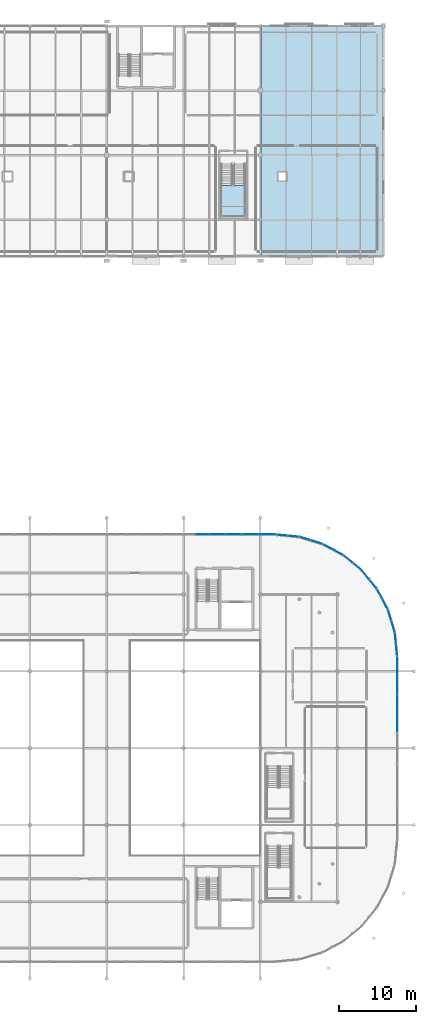
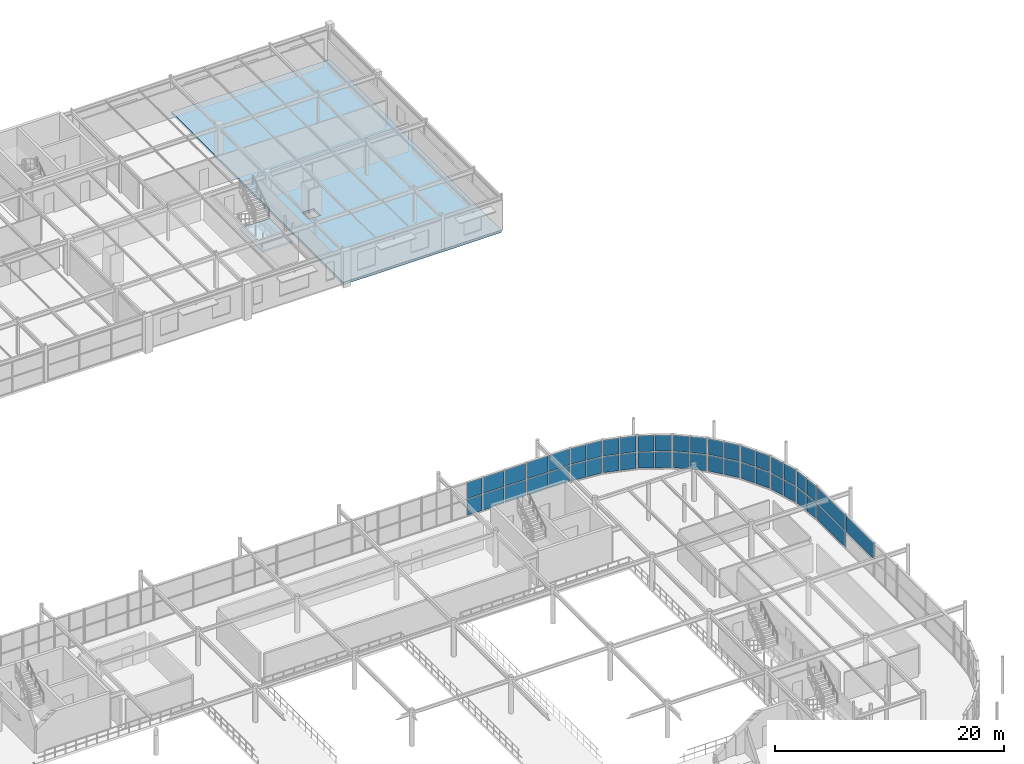
# One storey, part 72 of 98: 45 plates, 2 slabs, 13 elements without a shape of their own.
"""IFC4 building model written with IfcOpenShell, lengths in metres."""

from ifc_helpers import new_model, si_unit, derived_unit, direction, frame, origin, origin_2d_with_axis, place, context, subcontext, project, spatial, polyline, rectangle, outline, extrude, material, layer, layer_set, type_object, element, aggregate, save


model = new_model("IFC4")

# Units and contexts
model_context = context("Model", 3, precision=1e-05, world=origin(), true_north=direction((0.0, 1.0)))
body_context = subcontext(model_context, "Body", "Model", "MODEL_VIEW")
ifc_project = project(units=[si_unit("LENGTHUNIT", "METRE"), si_unit("AREAUNIT", "SQUARE_METRE"), si_unit("VOLUMEUNIT", "CUBIC_METRE"), si_unit("PLANEANGLEUNIT", "RADIAN"), si_unit("MASSUNIT", "GRAM", prefix="KILO"), derived_unit("THERMALTRANSMITTANCEUNIT", [(si_unit("POWERUNIT", "WATT"), 1), (si_unit("LENGTHUNIT", "METRE"), -2), (si_unit("THERMODYNAMICTEMPERATUREUNIT", "KELVIN"), -1)])], contexts=[model_context])

# Site, building, storey
site_placement = place(None, origin())
site = spatial("IfcSite", under=ifc_project, at=site_placement, CompositionType="ELEMENT")
building_placement = place(site_placement, origin())
building = spatial("IfcBuilding", under=site, at=building_placement, Name="Cinnabar Yard Market Hall", CompositionType="ELEMENT")
storey_placement = place(building_placement, frame((0.0, 0.0, 4.5)))
storey = spatial("IfcBuildingStorey", under=building, at=storey_placement, Name="L01", CompositionType="ELEMENT", Elevation=4.5)

# Curtain wall, plates
ifc_material_1 = material(Name="Anodised bronze aluminium curved-chord facade", Category="aluminium")
curtain_wall_type_1 = type_object("IfcCurtainWallType", Name="CW-CWC031x36", PredefinedType="NOTDEFINED", material=ifc_material_1)
curtain_wall_1_placement = place(storey_placement, origin())
curtain_wall_1 = element("IfcCurtainWall", 1, at=curtain_wall_1_placement, inside=storey, type_object=curtain_wall_type_1, Name="Corner NE Chord 1 L01", PredefinedType="NOTDEFINED")
ifc_material_2 = material(Name="Low-E laminated glass", Category="glass")
ifc_layer_1 = layer(ifc_material_2, 0.031982421875)
ifc_layer_set_1 = layer_set([ifc_layer_1], Name="Low-E laminated glass")
plate_type_1 = type_object("IfcPlateType", Name="CWP-GP141x169", PredefinedType="CURTAIN_PANEL", material=ifc_layer_set_1)
plate_1_placement = place(storey_placement, frame((163.721923828125, 56.79296875, 0.090087890625), z_axis=(0.0, 0.0, 1.0), x_axis=(-0.098020369342, 0.995184408637, 0.0)))
plate_1 = element("IfcPlate", 2, at=plate_1_placement, type_object=plate_type_1, Name="CWC031x36 panel 1.1", PredefinedType="CURTAIN_PANEL", context=body_context, shape_type="SweptSolid", body=[
    extrude(rectangle(XDim=1.41357421875, YDim=0.031982421875, at=origin_2d_with_axis()), origin(), (0.0, 0.0, 1.0), 1.68994140625),
])
plate_2_placement = place(storey_placement, frame((163.721923828125, 56.79296875, 1.8701171875), z_axis=(0.0, 0.0, 1.0), x_axis=(-0.098020369342, 0.995184408637, 0.0)))
plate_2 = element("IfcPlate", 3, at=plate_2_placement, type_object=plate_type_1, Name="CWC031x36 panel 1.2", PredefinedType="CURTAIN_PANEL", context=body_context, shape_type="SweptSolid", body=[
    extrude(rectangle(XDim=1.41357421875, YDim=0.031982421875, at=origin_2d_with_axis()), origin(), (0.0, 0.0, 1.0), 1.68994140625),
])
plate_3_placement = place(storey_placement, frame((163.574462890625, 58.289306640625, 0.090087890625), z_axis=(0.0, 0.0, 1.0), x_axis=(-0.098020369342, 0.995184408637, 0.0)))
plate_3 = element("IfcPlate", 4, at=plate_3_placement, type_object=plate_type_1, Name="CWC031x36 panel 2.1", PredefinedType="CURTAIN_PANEL", context=body_context, shape_type="SweptSolid", body=[
    extrude(rectangle(XDim=1.41357421875, YDim=0.031982421875, at=origin_2d_with_axis()), origin(), (0.0, 0.0, 1.0), 1.68994140625),
])
plate_4_placement = place(storey_placement, frame((163.574462890625, 58.289306640625, 1.8701171875), z_axis=(0.0, 0.0, 1.0), x_axis=(-0.098020369342, 0.995184408637, 0.0)))
plate_4 = element("IfcPlate", 5, at=plate_4_placement, type_object=plate_type_1, Name="CWC031x36 panel 2.2", PredefinedType="CURTAIN_PANEL", context=body_context, shape_type="SweptSolid", body=[
    extrude(rectangle(XDim=1.41357421875, YDim=0.031982421875, at=origin_2d_with_axis()), origin(), (0.0, 0.0, 1.0), 1.68994140625),
])
aggregate(curtain_wall_1, [plate_1, plate_2, plate_3, plate_4])

curtain_wall_2_placement = place(storey_placement, origin())
curtain_wall_2 = element("IfcCurtainWall", 6, at=curtain_wall_2_placement, inside=storey, type_object=curtain_wall_type_1, Name="Corner NE Chord 2 L01", PredefinedType="NOTDEFINED")
plate_5_placement = place(storey_placement, frame((163.26513671875, 59.844970703125, 0.090087890625), z_axis=(0.0, 0.0, 1.0), x_axis=(-0.290278891325, 0.956942090856, 0.0)))
plate_5 = element("IfcPlate", 7, at=plate_5_placement, type_object=plate_type_1, Name="CWC031x36 panel 1.1", PredefinedType="CURTAIN_PANEL", context=body_context, shape_type="SweptSolid", body=[
    extrude(rectangle(XDim=1.41357421875, YDim=0.031982421875, at=origin_2d_with_axis()), origin(), (0.0, 0.0, 1.0), 1.68994140625),
])
plate_6_placement = place(storey_placement, frame((163.26513671875, 59.844970703125, 1.8701171875), z_axis=(0.0, 0.0, 1.0), x_axis=(-0.290278891325, 0.956942090856, 0.0)))
plate_6 = element("IfcPlate", 8, at=plate_6_placement, type_object=plate_type_1, Name="CWC031x36 panel 1.2", PredefinedType="CURTAIN_PANEL", context=body_context, shape_type="SweptSolid", body=[
    extrude(rectangle(XDim=1.41357421875, YDim=0.031982421875, at=origin_2d_with_axis()), origin(), (0.0, 0.0, 1.0), 1.68994140625),
])
plate_7_placement = place(storey_placement, frame((162.82861328125, 61.283935546875, 0.090087890625), z_axis=(0.0, 0.0, 1.0), x_axis=(-0.290278891325, 0.956942090856, 0.0)))
plate_7 = element("IfcPlate", 9, at=plate_7_placement, type_object=plate_type_1, Name="CWC031x36 panel 2.1", PredefinedType="CURTAIN_PANEL", context=body_context, shape_type="SweptSolid", body=[
    extrude(rectangle(XDim=1.41357421875, YDim=0.031982421875, at=origin_2d_with_axis()), origin(), (0.0, 0.0, 1.0), 1.68994140625),
])
plate_8_placement = place(storey_placement, frame((162.82861328125, 61.283935546875, 1.8701171875), z_axis=(0.0, 0.0, 1.0), x_axis=(-0.290278891325, 0.956942090856, 0.0)))
plate_8 = element("IfcPlate", 10, at=plate_8_placement, type_object=plate_type_1, Name="CWC031x36 panel 2.2", PredefinedType="CURTAIN_PANEL", context=body_context, shape_type="SweptSolid", body=[
    extrude(rectangle(XDim=1.41357421875, YDim=0.031982421875, at=origin_2d_with_axis()), origin(), (0.0, 0.0, 1.0), 1.68994140625),
])
aggregate(curtain_wall_2, [plate_5, plate_6, plate_7, plate_8])

curtain_wall_3_placement = place(storey_placement, origin())
curtain_wall_3 = element("IfcCurtainWall", 11, at=curtain_wall_3_placement, inside=storey, type_object=curtain_wall_type_1, Name="Corner NE Chord 3 L01", PredefinedType="NOTDEFINED")
plate_9_placement = place(storey_placement, frame((162.2216796875, 62.7490234375, 0.090087890625), z_axis=(0.0, 0.0, 1.0), x_axis=(-0.471404114786, 0.881917320707, 0.0)))
plate_9 = element("IfcPlate", 12, at=plate_9_placement, type_object=plate_type_1, Name="CWC031x36 panel 1.1", PredefinedType="CURTAIN_PANEL", context=body_context, shape_type="SweptSolid", body=[
    extrude(rectangle(XDim=1.41357421875, YDim=0.031982421875, at=origin_2d_with_axis()), origin(), (0.0, 0.0, 1.0), 1.68994140625),
])
plate_10_placement = place(storey_placement, frame((162.2216796875, 62.7490234375, 1.8701171875), z_axis=(0.0, 0.0, 1.0), x_axis=(-0.471404114786, 0.881917320707, 0.0)))
plate_10 = element("IfcPlate", 13, at=plate_10_placement, type_object=plate_type_1, Name="CWC031x36 panel 1.2", PredefinedType="CURTAIN_PANEL", context=body_context, shape_type="SweptSolid", body=[
    extrude(rectangle(XDim=1.41357421875, YDim=0.031982421875, at=origin_2d_with_axis()), origin(), (0.0, 0.0, 1.0), 1.68994140625),
])
plate_11_placement = place(storey_placement, frame((161.512939453125, 64.0751953125, 0.090087890625), z_axis=(0.0, 0.0, 1.0), x_axis=(-0.471404114786, 0.881917320707, 0.0)))
plate_11 = element("IfcPlate", 14, at=plate_11_placement, type_object=plate_type_1, Name="CWC031x36 panel 2.1", PredefinedType="CURTAIN_PANEL", context=body_context, shape_type="SweptSolid", body=[
    extrude(rectangle(XDim=1.41357421875, YDim=0.031982421875, at=origin_2d_with_axis()), origin(), (0.0, 0.0, 1.0), 1.68994140625),
])
plate_12_placement = place(storey_placement, frame((161.512939453125, 64.0751953125, 1.8701171875), z_axis=(0.0, 0.0, 1.0), x_axis=(-0.471404114786, 0.881917320707, 0.0)))
plate_12 = element("IfcPlate", 15, at=plate_12_placement, type_object=plate_type_1, Name="CWC031x36 panel 2.2", PredefinedType="CURTAIN_PANEL", context=body_context, shape_type="SweptSolid", body=[
    extrude(rectangle(XDim=1.41357421875, YDim=0.031982421875, at=origin_2d_with_axis()), origin(), (0.0, 0.0, 1.0), 1.68994140625),
])
aggregate(curtain_wall_3, [plate_9, plate_10, plate_11, plate_12])

curtain_wall_4_placement = place(storey_placement, origin())
curtain_wall_4 = element("IfcCurtainWall", 16, at=curtain_wall_4_placement, inside=storey, type_object=curtain_wall_type_1, Name="Corner NE Chord 4 L01", PredefinedType="NOTDEFINED")
plate_13_placement = place(storey_placement, frame((160.631591796875, 65.39404296875, 0.090087890625), z_axis=(0.0, 0.0, 1.0), x_axis=(-0.634383400924, 0.773018564222, 0.0)))
plate_13 = element("IfcPlate", 17, at=plate_13_placement, type_object=plate_type_1, Name="CWC031x36 panel 1.1", PredefinedType="CURTAIN_PANEL", context=body_context, shape_type="SweptSolid", body=[
    extrude(rectangle(XDim=1.41357421875, YDim=0.031982421875, at=origin_2d_with_axis()), origin(), (0.0, 0.0, 1.0), 1.68994140625),
])
plate_14_placement = place(storey_placement, frame((160.631591796875, 65.39404296875, 1.8701171875), z_axis=(0.0, 0.0, 1.0), x_axis=(-0.634383400924, 0.773018564222, 0.0)))
plate_14 = element("IfcPlate", 18, at=plate_14_placement, type_object=plate_type_1, Name="CWC031x36 panel 1.2", PredefinedType="CURTAIN_PANEL", context=body_context, shape_type="SweptSolid", body=[
    extrude(rectangle(XDim=1.41357421875, YDim=0.031982421875, at=origin_2d_with_axis()), origin(), (0.0, 0.0, 1.0), 1.68994140625),
])
plate_15_placement = place(storey_placement, frame((159.677734375, 66.556396484375, 0.090087890625), z_axis=(0.0, 0.0, 1.0), x_axis=(-0.634383400924, 0.773018564222, 0.0)))
plate_15 = element("IfcPlate", 19, at=plate_15_placement, type_object=plate_type_1, Name="CWC031x36 panel 2.1", PredefinedType="CURTAIN_PANEL", context=body_context, shape_type="SweptSolid", body=[
    extrude(rectangle(XDim=1.41357421875, YDim=0.031982421875, at=origin_2d_with_axis()), origin(), (0.0, 0.0, 1.0), 1.68994140625),
])
plate_16_placement = place(storey_placement, frame((159.677734375, 66.556396484375, 1.8701171875), z_axis=(0.0, 0.0, 1.0), x_axis=(-0.634383400924, 0.773018564222, 0.0)))
plate_16 = element("IfcPlate", 20, at=plate_16_placement, type_object=plate_type_1, Name="CWC031x36 panel 2.2", PredefinedType="CURTAIN_PANEL", context=body_context, shape_type="SweptSolid", body=[
    extrude(rectangle(XDim=1.41357421875, YDim=0.031982421875, at=origin_2d_with_axis()), origin(), (0.0, 0.0, 1.0), 1.68994140625),
])
aggregate(curtain_wall_4, [plate_13, plate_14, plate_15, plate_16])

curtain_wall_5_placement = place(storey_placement, origin())
curtain_wall_5 = element("IfcCurtainWall", 21, at=curtain_wall_5_placement, inside=storey, type_object=curtain_wall_type_1, Name="Corner NE Chord 5 L01", PredefinedType="NOTDEFINED")
plate_17_placement = place(storey_placement, frame((158.556396484375, 67.677734375, 0.090087890625), z_axis=(0.0, 0.0, 1.0), x_axis=(-0.773018564222, 0.634383400924, 0.0)))
plate_17 = element("IfcPlate", 22, at=plate_17_placement, type_object=plate_type_1, Name="CWC031x36 panel 1.1", PredefinedType="CURTAIN_PANEL", context=body_context, shape_type="SweptSolid", body=[
    extrude(rectangle(XDim=1.41357421875, YDim=0.031982421875, at=origin_2d_with_axis()), origin(), (0.0, 0.0, 1.0), 1.68994140625),
])
plate_18_placement = place(storey_placement, frame((158.556396484375, 67.677734375, 1.8701171875), z_axis=(0.0, 0.0, 1.0), x_axis=(-0.773018564222, 0.634383400924, 0.0)))
plate_18 = element("IfcPlate", 23, at=plate_18_placement, type_object=plate_type_1, Name="CWC031x36 panel 1.2", PredefinedType="CURTAIN_PANEL", context=body_context, shape_type="SweptSolid", body=[
    extrude(rectangle(XDim=1.41357421875, YDim=0.031982421875, at=origin_2d_with_axis()), origin(), (0.0, 0.0, 1.0), 1.68994140625),
])
plate_19_placement = place(storey_placement, frame((157.39404296875, 68.631591796875, 0.090087890625), z_axis=(0.0, 0.0, 1.0), x_axis=(-0.773018564222, 0.634383400924, 0.0)))
plate_19 = element("IfcPlate", 24, at=plate_19_placement, type_object=plate_type_1, Name="CWC031x36 panel 2.1", PredefinedType="CURTAIN_PANEL", context=body_context, shape_type="SweptSolid", body=[
    extrude(rectangle(XDim=1.41357421875, YDim=0.031982421875, at=origin_2d_with_axis()), origin(), (0.0, 0.0, 1.0), 1.68994140625),
])
plate_20_placement = place(storey_placement, frame((157.39404296875, 68.631591796875, 1.8701171875), z_axis=(0.0, 0.0, 1.0), x_axis=(-0.773018564222, 0.634383400924, 0.0)))
plate_20 = element("IfcPlate", 25, at=plate_20_placement, type_object=plate_type_1, Name="CWC031x36 panel 2.2", PredefinedType="CURTAIN_PANEL", context=body_context, shape_type="SweptSolid", body=[
    extrude(rectangle(XDim=1.41357421875, YDim=0.031982421875, at=origin_2d_with_axis()), origin(), (0.0, 0.0, 1.0), 1.68994140625),
])
aggregate(curtain_wall_5, [plate_17, plate_18, plate_19, plate_20])

curtain_wall_6_placement = place(storey_placement, origin())
curtain_wall_6 = element("IfcCurtainWall", 26, at=curtain_wall_6_placement, inside=storey, type_object=curtain_wall_type_1, Name="Corner NE Chord 6 L01", PredefinedType="NOTDEFINED")
plate_21_placement = place(storey_placement, frame((156.0751953125, 69.512939453125, 0.090087890625), z_axis=(0.0, 0.0, 1.0), x_axis=(-0.881917320707, 0.471404114786, 0.0)))
plate_21 = element("IfcPlate", 27, at=plate_21_placement, type_object=plate_type_1, Name="CWC031x36 panel 1.1", PredefinedType="CURTAIN_PANEL", context=body_context, shape_type="SweptSolid", body=[
    extrude(rectangle(XDim=1.41357421875, YDim=0.031982421875, at=origin_2d_with_axis()), origin(), (0.0, 0.0, 1.0), 1.68994140625),
])
plate_22_placement = place(storey_placement, frame((156.0751953125, 69.512939453125, 1.8701171875), z_axis=(0.0, 0.0, 1.0), x_axis=(-0.881917320707, 0.471404114786, 0.0)))
plate_22 = element("IfcPlate", 28, at=plate_22_placement, type_object=plate_type_1, Name="CWC031x36 panel 1.2", PredefinedType="CURTAIN_PANEL", context=body_context, shape_type="SweptSolid", body=[
    extrude(rectangle(XDim=1.41357421875, YDim=0.031982421875, at=origin_2d_with_axis()), origin(), (0.0, 0.0, 1.0), 1.68994140625),
])
plate_23_placement = place(storey_placement, frame((154.7490234375, 70.2216796875, 0.090087890625), z_axis=(0.0, 0.0, 1.0), x_axis=(-0.881917320707, 0.471404114786, 0.0)))
plate_23 = element("IfcPlate", 29, at=plate_23_placement, type_object=plate_type_1, Name="CWC031x36 panel 2.1", PredefinedType="CURTAIN_PANEL", context=body_context, shape_type="SweptSolid", body=[
    extrude(rectangle(XDim=1.41357421875, YDim=0.031982421875, at=origin_2d_with_axis()), origin(), (0.0, 0.0, 1.0), 1.68994140625),
])
plate_24_placement = place(storey_placement, frame((154.7490234375, 70.2216796875, 1.8701171875), z_axis=(0.0, 0.0, 1.0), x_axis=(-0.881917320707, 0.471404114786, 0.0)))
plate_24 = element("IfcPlate", 30, at=plate_24_placement, type_object=plate_type_1, Name="CWC031x36 panel 2.2", PredefinedType="CURTAIN_PANEL", context=body_context, shape_type="SweptSolid", body=[
    extrude(rectangle(XDim=1.41357421875, YDim=0.031982421875, at=origin_2d_with_axis()), origin(), (0.0, 0.0, 1.0), 1.68994140625),
])
aggregate(curtain_wall_6, [plate_21, plate_22, plate_23, plate_24])

curtain_wall_7_placement = place(storey_placement, origin())
curtain_wall_7 = element("IfcCurtainWall", 31, at=curtain_wall_7_placement, inside=storey, type_object=curtain_wall_type_1, Name="Corner NE Chord 7 L01", PredefinedType="NOTDEFINED")
plate_25_placement = place(storey_placement, frame((153.283935546875, 70.82861328125, 0.090087890625), z_axis=(0.0, 0.0, 1.0), x_axis=(-0.956942090856, 0.290278891325, 0.0)))
plate_25 = element("IfcPlate", 32, at=plate_25_placement, type_object=plate_type_1, Name="CWC031x36 panel 1.1", PredefinedType="CURTAIN_PANEL", context=body_context, shape_type="SweptSolid", body=[
    extrude(rectangle(XDim=1.41357421875, YDim=0.031982421875, at=origin_2d_with_axis()), origin(), (0.0, 0.0, 1.0), 1.68994140625),
])
plate_26_placement = place(storey_placement, frame((153.283935546875, 70.82861328125, 1.8701171875), z_axis=(0.0, 0.0, 1.0), x_axis=(-0.956942090856, 0.290278891325, 0.0)))
plate_26 = element("IfcPlate", 33, at=plate_26_placement, type_object=plate_type_1, Name="CWC031x36 panel 1.2", PredefinedType="CURTAIN_PANEL", context=body_context, shape_type="SweptSolid", body=[
    extrude(rectangle(XDim=1.41357421875, YDim=0.031982421875, at=origin_2d_with_axis()), origin(), (0.0, 0.0, 1.0), 1.68994140625),
])
plate_27_placement = place(storey_placement, frame((151.844970703125, 71.26513671875, 0.090087890625), z_axis=(0.0, 0.0, 1.0), x_axis=(-0.956942090856, 0.290278891325, 0.0)))
plate_27 = element("IfcPlate", 34, at=plate_27_placement, type_object=plate_type_1, Name="CWC031x36 panel 2.1", PredefinedType="CURTAIN_PANEL", context=body_context, shape_type="SweptSolid", body=[
    extrude(rectangle(XDim=1.41357421875, YDim=0.031982421875, at=origin_2d_with_axis()), origin(), (0.0, 0.0, 1.0), 1.68994140625),
])
plate_28_placement = place(storey_placement, frame((151.844970703125, 71.26513671875, 1.8701171875), z_axis=(0.0, 0.0, 1.0), x_axis=(-0.956942090856, 0.290278891325, 0.0)))
plate_28 = element("IfcPlate", 35, at=plate_28_placement, type_object=plate_type_1, Name="CWC031x36 panel 2.2", PredefinedType="CURTAIN_PANEL", context=body_context, shape_type="SweptSolid", body=[
    extrude(rectangle(XDim=1.41357421875, YDim=0.031982421875, at=origin_2d_with_axis()), origin(), (0.0, 0.0, 1.0), 1.68994140625),
])
aggregate(curtain_wall_7, [plate_25, plate_26, plate_27, plate_28])

curtain_wall_8_placement = place(storey_placement, origin())
curtain_wall_8 = element("IfcCurtainWall", 36, at=curtain_wall_8_placement, inside=storey, type_object=curtain_wall_type_1, Name="Corner NE Chord 8 L01", PredefinedType="NOTDEFINED")
plate_29_placement = place(storey_placement, frame((150.289306640625, 71.574462890625, 0.090087890625), z_axis=(0.0, 0.0, 1.0), x_axis=(-0.995184408637, 0.098020369342, 0.0)))
plate_29 = element("IfcPlate", 37, at=plate_29_placement, type_object=plate_type_1, Name="CWC031x36 panel 1.1", PredefinedType="CURTAIN_PANEL", context=body_context, shape_type="SweptSolid", body=[
    extrude(rectangle(XDim=1.41357421875, YDim=0.031982421875, at=origin_2d_with_axis()), origin(), (0.0, 0.0, 1.0), 1.68994140625),
])
plate_30_placement = place(storey_placement, frame((150.289306640625, 71.574462890625, 1.8701171875), z_axis=(0.0, 0.0, 1.0), x_axis=(-0.995184408637, 0.098020369342, 0.0)))
plate_30 = element("IfcPlate", 38, at=plate_30_placement, type_object=plate_type_1, Name="CWC031x36 panel 1.2", PredefinedType="CURTAIN_PANEL", context=body_context, shape_type="SweptSolid", body=[
    extrude(rectangle(XDim=1.41357421875, YDim=0.031982421875, at=origin_2d_with_axis()), origin(), (0.0, 0.0, 1.0), 1.68994140625),
])
plate_31_placement = place(storey_placement, frame((148.79296875, 71.721923828125, 0.090087890625), z_axis=(0.0, 0.0, 1.0), x_axis=(-0.995184408637, 0.098020369342, 0.0)))
plate_31 = element("IfcPlate", 39, at=plate_31_placement, type_object=plate_type_1, Name="CWC031x36 panel 2.1", PredefinedType="CURTAIN_PANEL", context=body_context, shape_type="SweptSolid", body=[
    extrude(rectangle(XDim=1.41357421875, YDim=0.031982421875, at=origin_2d_with_axis()), origin(), (0.0, 0.0, 1.0), 1.68994140625),
])
plate_32_placement = place(storey_placement, frame((148.79296875, 71.721923828125, 1.8701171875), z_axis=(0.0, 0.0, 1.0), x_axis=(-0.995184408637, 0.098020369342, 0.0)))
plate_32 = element("IfcPlate", 40, at=plate_32_placement, type_object=plate_type_1, Name="CWC031x36 panel 2.2", PredefinedType="CURTAIN_PANEL", context=body_context, shape_type="SweptSolid", body=[
    extrude(rectangle(XDim=1.41357421875, YDim=0.031982421875, at=origin_2d_with_axis()), origin(), (0.0, 0.0, 1.0), 1.68994140625),
])
aggregate(curtain_wall_8, [plate_29, plate_30, plate_31, plate_32])

ifc_material_3 = material(Name="Anodised bronze aluminium and low-E glass", Category="aluminium")
curtain_wall_type_2 = type_object("IfcCurtainWallType", Name="CW-CWH032x36", PredefinedType="NOTDEFINED", material=ifc_material_3)
curtain_wall_9_placement = place(storey_placement, origin())
curtain_wall_9 = element("IfcCurtainWall", 41, at=curtain_wall_9_placement, inside=storey, type_object=curtain_wall_type_2, Name="Market Hall North Gallery Glazing B6A", PredefinedType="NOTDEFINED")
ifc_layer_2 = layer(ifc_material_2, 0.031982421875)
ifc_layer_set_2 = layer_set([ifc_layer_2], Name="Low-E laminated glass")
plate_type_2 = type_object("IfcPlateType", Name="CWP-GP148x171", PredefinedType="CURTAIN_PANEL", material=ifc_layer_set_2)
plate_33_placement = place(storey_placement, frame((138.3798828125, 71.800048828125, 0.080078125), z_axis=(0.0, 0.0, 1.0), x_axis=(-1.0, 0.0, 0.0)))
plate_33 = element("IfcPlate", 42, at=plate_33_placement, type_object=plate_type_2, Name="CWH032x36 panel 1.1", PredefinedType="CURTAIN_PANEL", context=body_context, shape_type="SweptSolid", body=[
    extrude(rectangle(XDim=1.47998046875, YDim=0.031982421875, at=origin_2d_with_axis()), origin(), (0.0, 0.0, 1.0), 1.705078125),
])
plate_34_placement = place(storey_placement, frame((138.3798828125, 71.800048828125, 1.864990234375), z_axis=(0.0, 0.0, 1.0), x_axis=(-1.0, 0.0, 0.0)))
plate_34 = element("IfcPlate", 43, at=plate_34_placement, type_object=plate_type_2, Name="CWH032x36 panel 1.2", PredefinedType="CURTAIN_PANEL", context=body_context, shape_type="SweptSolid", body=[
    extrude(rectangle(XDim=1.47998046875, YDim=0.031982421875, at=origin_2d_with_axis()), origin(), (0.0, 0.0, 1.0), 1.705078125),
])
aggregate(curtain_wall_9, [plate_33, plate_34])

curtain_wall_type_3 = type_object("IfcCurtainWallType", Name="CW-CWH044x36", PredefinedType="NOTDEFINED", material=ifc_material_3)
curtain_wall_10_placement = place(storey_placement, origin())
curtain_wall_10 = element("IfcCurtainWall", 44, at=curtain_wall_10_placement, inside=storey, type_object=curtain_wall_type_3, Name="Market Hall North Gallery Glazing PTE", PredefinedType="NOTDEFINED")
ifc_layer_3 = layer(ifc_material_2, 0.031982421875)
ifc_layer_set_3 = layer_set([ifc_layer_3], Name="Low-E laminated glass")
plate_type_3 = type_object("IfcPlateType", Name="CWP-GP208x171", PredefinedType="CURTAIN_PANEL", material=ifc_layer_set_3)
plate_35_placement = place(storey_placement, frame((142.47998046875, 71.800048828125, 0.080078125), z_axis=(0.0, 0.0, 1.0), x_axis=(-1.0, 0.0, 0.0)))
plate_35 = element("IfcPlate", 45, at=plate_35_placement, type_object=plate_type_3, Name="CWH044x36 panel 1.1", PredefinedType="CURTAIN_PANEL", context=body_context, shape_type="SweptSolid", body=[
    extrude(rectangle(XDim=2.080078125, YDim=0.031982421875, at=origin_2d_with_axis()), origin(), (0.0, 0.0, 1.0), 1.705078125),
])
plate_36_placement = place(storey_placement, frame((142.47998046875, 71.800048828125, 1.864990234375), z_axis=(0.0, 0.0, 1.0), x_axis=(-1.0, 0.0, 0.0)))
plate_36 = element("IfcPlate", 46, at=plate_36_placement, type_object=plate_type_3, Name="CWH044x36 panel 1.2", PredefinedType="CURTAIN_PANEL", context=body_context, shape_type="SweptSolid", body=[
    extrude(rectangle(XDim=2.080078125, YDim=0.031982421875, at=origin_2d_with_axis()), origin(), (0.0, 0.0, 1.0), 1.705078125),
])
plate_37_placement = place(storey_placement, frame((140.320068359375, 71.800048828125, 0.080078125), z_axis=(0.0, 0.0, 1.0), x_axis=(-1.0, 0.0, 0.0)))
plate_37 = element("IfcPlate", 47, at=plate_37_placement, type_object=plate_type_3, Name="CWH044x36 panel 2.1", PredefinedType="CURTAIN_PANEL", context=body_context, shape_type="SweptSolid", body=[
    extrude(rectangle(XDim=2.080078125, YDim=0.031982421875, at=origin_2d_with_axis()), origin(), (0.0, 0.0, 1.0), 1.705078125),
])
plate_38_placement = place(storey_placement, frame((140.320068359375, 71.800048828125, 1.864990234375), z_axis=(0.0, 0.0, 1.0), x_axis=(-1.0, 0.0, 0.0)))
plate_38 = element("IfcPlate", 48, at=plate_38_placement, type_object=plate_type_3, Name="CWH044x36 panel 2.2", PredefinedType="CURTAIN_PANEL", context=body_context, shape_type="SweptSolid", body=[
    extrude(rectangle(XDim=2.080078125, YDim=0.031982421875, at=origin_2d_with_axis()), origin(), (0.0, 0.0, 1.0), 1.705078125),
])
aggregate(curtain_wall_10, [plate_35, plate_36, plate_37, plate_38])

curtain_wall_11_placement = place(storey_placement, origin())
curtain_wall_11 = element("IfcCurtainWall", 49, at=curtain_wall_11_placement, inside=storey, type_object=curtain_wall_type_3, Name="Market Hall North Gallery Glazing B6B", PredefinedType="NOTDEFINED")
plate_39_placement = place(storey_placement, frame((146.8798828125, 71.800048828125, 0.080078125), z_axis=(0.0, 0.0, 1.0), x_axis=(-1.0, 0.0, 0.0)))
plate_39 = element("IfcPlate", 50, at=plate_39_placement, type_object=plate_type_3, Name="CWH044x36 panel 1.1", PredefinedType="CURTAIN_PANEL", context=body_context, shape_type="SweptSolid", body=[
    extrude(rectangle(XDim=2.080078125, YDim=0.031982421875, at=origin_2d_with_axis()), origin(), (0.0, 0.0, 1.0), 1.705078125),
])
plate_40_placement = place(storey_placement, frame((146.8798828125, 71.800048828125, 1.864990234375), z_axis=(0.0, 0.0, 1.0), x_axis=(-1.0, 0.0, 0.0)))
plate_40 = element("IfcPlate", 51, at=plate_40_placement, type_object=plate_type_3, Name="CWH044x36 panel 1.2", PredefinedType="CURTAIN_PANEL", context=body_context, shape_type="SweptSolid", body=[
    extrude(rectangle(XDim=2.080078125, YDim=0.031982421875, at=origin_2d_with_axis()), origin(), (0.0, 0.0, 1.0), 1.705078125),
])
plate_41_placement = place(storey_placement, frame((144.719970703125, 71.800048828125, 0.080078125), z_axis=(0.0, 0.0, 1.0), x_axis=(-1.0, 0.0, 0.0)))
plate_41 = element("IfcPlate", 52, at=plate_41_placement, type_object=plate_type_3, Name="CWH044x36 panel 2.1", PredefinedType="CURTAIN_PANEL", context=body_context, shape_type="SweptSolid", body=[
    extrude(rectangle(XDim=2.080078125, YDim=0.031982421875, at=origin_2d_with_axis()), origin(), (0.0, 0.0, 1.0), 1.705078125),
])
plate_42_placement = place(storey_placement, frame((144.719970703125, 71.800048828125, 1.864990234375), z_axis=(0.0, 0.0, 1.0), x_axis=(-1.0, 0.0, 0.0)))
plate_42 = element("IfcPlate", 53, at=plate_42_placement, type_object=plate_type_3, Name="CWH044x36 panel 2.2", PredefinedType="CURTAIN_PANEL", context=body_context, shape_type="SweptSolid", body=[
    extrude(rectangle(XDim=2.080078125, YDim=0.031982421875, at=origin_2d_with_axis()), origin(), (0.0, 0.0, 1.0), 1.705078125),
])
aggregate(curtain_wall_11, [plate_39, plate_40, plate_41, plate_42])

curtain_wall_type_4 = type_object("IfcCurtainWallType", Name="CW-CWH100x36", PredefinedType="NOTDEFINED", material=ifc_material_3)
curtain_wall_12_placement = place(storey_placement, origin())
curtain_wall_12 = element("IfcCurtainWall", 54, at=curtain_wall_12_placement, inside=storey, type_object=curtain_wall_type_4, Name="Market Hall East Gallery Glazing W2", PredefinedType="NOTDEFINED")
ifc_layer_4 = layer(ifc_material_2, 0.031982421875)
ifc_layer_set_4 = layer_set([ifc_layer_4], Name="Low-E laminated glass")
plate_type_4 = type_object("IfcPlateType", Name="CWP-GP488x171", PredefinedType="CURTAIN_PANEL", material=ifc_layer_set_4)
plate_43_placement = place(storey_placement, frame((163.800048828125, 48.52001953125, 1.864990234375), z_axis=(0.0, 0.0, 1.0), x_axis=(0.0, 1.0, 0.0)))
plate_43 = element("IfcPlate", 55, at=plate_43_placement, type_object=plate_type_4, Name="CWH100x36 panel 1.2", PredefinedType="CURTAIN_PANEL", context=body_context, shape_type="SweptSolid", body=[
    extrude(rectangle(XDim=4.8798828125, YDim=0.031982421875, at=origin_2d_with_axis()), origin(), (0.0, 0.0, 1.0), 1.705078125),
])
plate_44_placement = place(storey_placement, frame((163.800048828125, 53.47998046875, 0.080078125), z_axis=(0.0, 0.0, 1.0), x_axis=(0.0, 1.0, 0.0)))
plate_44 = element("IfcPlate", 56, at=plate_44_placement, type_object=plate_type_4, Name="CWH100x36 panel 2.1", PredefinedType="CURTAIN_PANEL", context=body_context, shape_type="SweptSolid", body=[
    extrude(rectangle(XDim=4.8798828125, YDim=0.031982421875, at=origin_2d_with_axis()), origin(), (0.0, 0.0, 1.0), 1.705078125),
])
plate_45_placement = place(storey_placement, frame((163.800048828125, 53.47998046875, 1.864990234375), z_axis=(0.0, 0.0, 1.0), x_axis=(0.0, 1.0, 0.0)))
plate_45 = element("IfcPlate", 57, at=plate_45_placement, type_object=plate_type_4, Name="CWH100x36 panel 2.2", PredefinedType="CURTAIN_PANEL", context=body_context, shape_type="SweptSolid", body=[
    extrude(rectangle(XDim=4.8798828125, YDim=0.031982421875, at=origin_2d_with_axis()), origin(), (0.0, 0.0, 1.0), 1.705078125),
])
aggregate(curtain_wall_12, [plate_43, plate_44, plate_45])

# Slab
ifc_material_4 = material(Name="Concrete 40 MPa", Category="concrete")
ifc_layer_5 = layer(ifc_material_4, 0.260009765625)
ifc_layer_set_5 = layer_set([ifc_layer_5], Name="Concrete 40 MPa")
slab_type_1 = type_object("IfcSlabType", Name="SL-L01", PredefinedType="FLOOR", material=ifc_layer_set_5)
slab_1_placement = place(storey_placement, frame((0.0, 0.0, -0.260009765625)))
element("IfcSlab", 58, at=slab_1_placement, inside=storey, type_object=slab_type_1, Name="L01 Wing Floor Slab Bay 5", PredefinedType="FLOOR", context=body_context, shape_type="SweptSolid", body=[
    extrude(outline(polyline([(146.0400390625, 108.0), (162.0, 108.0), (162.0, 138.0), (146.0400390625, 138.0), (146.0400390625, 108.0)]), holes=[polyline([(148.2900390625, 117.85009765625), (149.43994140625, 117.85009765625), (149.43994140625, 119.0), (148.2900390625, 119.0), (148.2900390625, 117.85009765625)])]), origin(), (0.0, 0.0, 1.0), 0.260009765625),
])

# Stair, slab
ifc_material_5 = material(Name="Spotted gum timber treads on steel Grade 350 (350 MPa)", Category="steel")
stair_type = type_object("IfcStairType", Name="ST-FEAT", PredefinedType="HALF_TURN_STAIR", material=ifc_material_5)
stair_placement = place(storey_placement, origin())
stair = element("IfcStair", 59, at=stair_placement, inside=storey, type_object=stair_type, Name="L01 Feature Stair ST-F6", PredefinedType="HALF_TURN_STAIR")
ifc_layer_6 = layer(ifc_material_4, 0.199951171875)
ifc_layer_set_6 = layer_set([ifc_layer_6], Name="Concrete 40 MPa")
slab_type_2 = type_object("IfcSlabType", Name="SL-LAND", PredefinedType="LANDING", material=ifc_layer_set_6)
slab_2_placement = place(storey_placement, frame((0.0, 0.0, 1.75)))
slab_2 = element("IfcSlab", 60, at=slab_2_placement, type_object=slab_type_2, Name="ST-F6 landing 1", PredefinedType="LANDING", context=body_context, shape_type="SweptSolid", body=[
    extrude(outline(polyline([(140.89990234375, 117.25), (140.89990234375, 113.25), (143.9599609375, 113.25), (143.9599609375, 117.25), (140.89990234375, 117.25)])), origin(), (0.0, 0.0, 1.0), 0.199951171875),
])
aggregate(stair, [slab_2])

save(model, "model.ifc")
